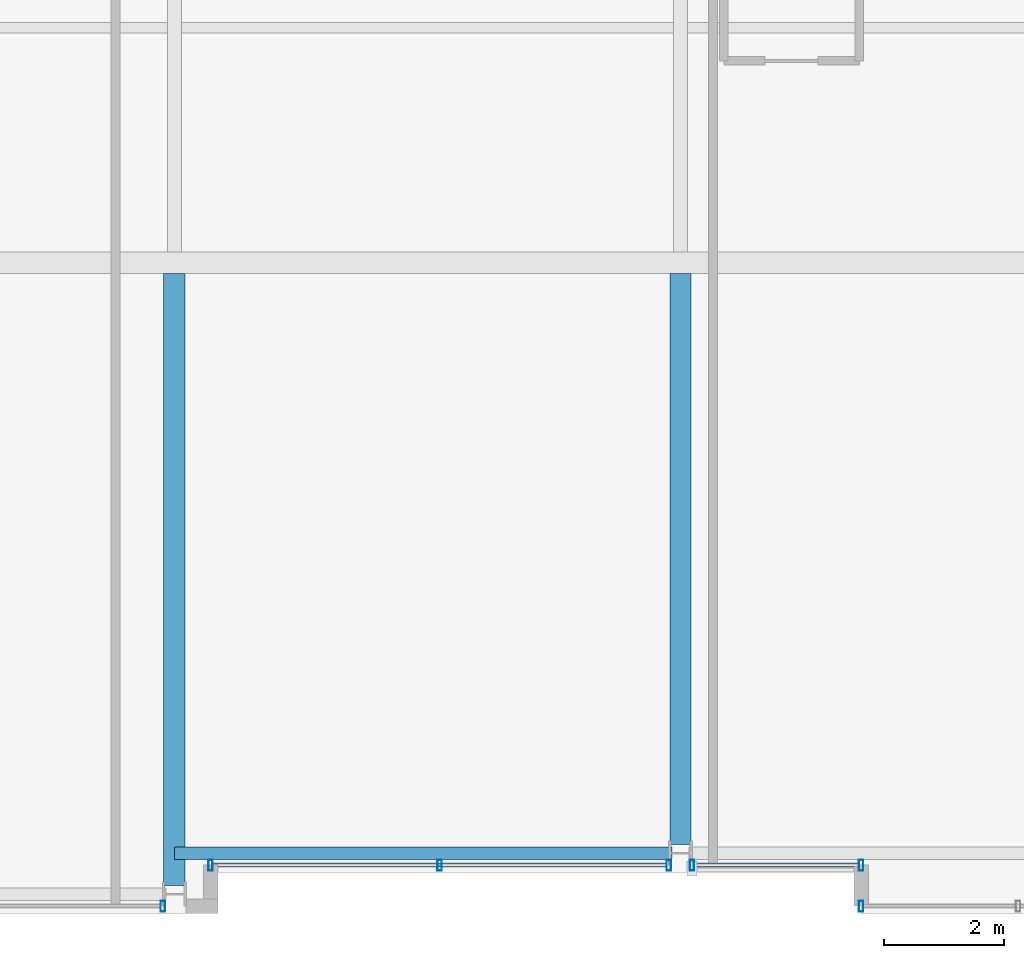
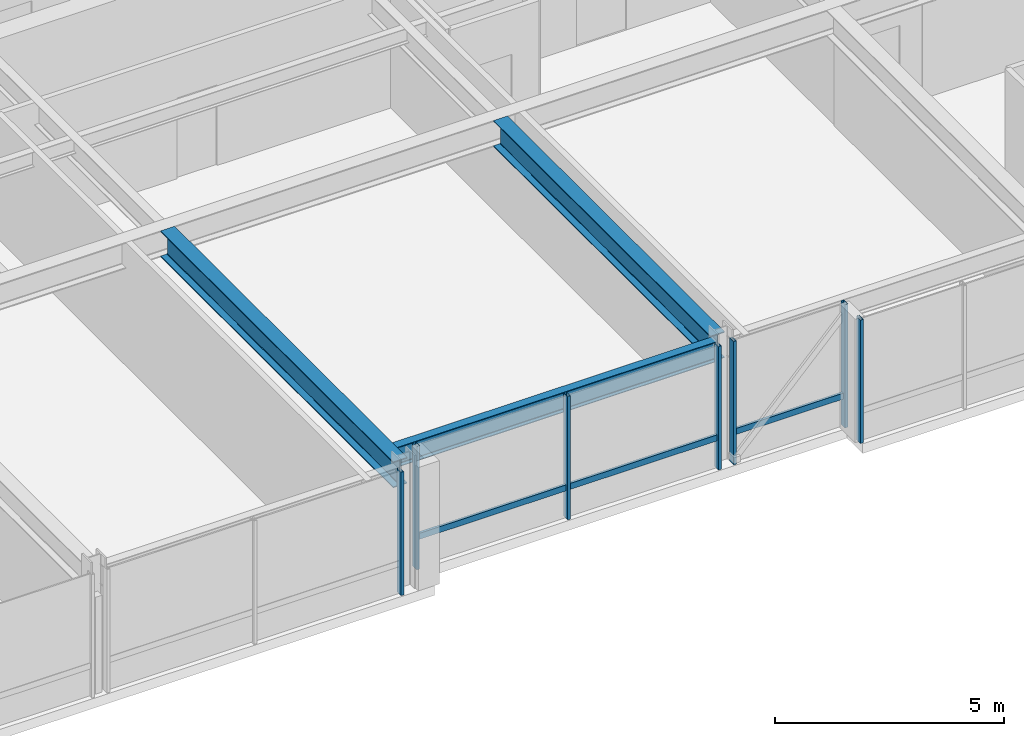
# One storey, part 5 of 32: 9 members, 3 beams, 4 elements without a shape of their own.
"""IFC4 building model written with IfcOpenShell, lengths in metres."""

import ifcopenshell
import ifcopenshell.guid

model = None  # the IFC model being written
_history = None  # IfcOwnerHistory: only IFC2X3 demands one
_inside = {}  # id of a spatial element -> (the spatial element, [elements in it])
_under = {}  # id of a project, library or spatial element -> (it, [spatial elements below it])
_declared = {}  # id of a project -> (the project, [libraries it declares])
_typed = {}  # id of a type object -> (the type object, [elements of that type])
_made_of = {}  # id of a material, layer set ... -> (it, [elements and type objects made of it])


def new_model(schema):
    """Start an empty IFC model of exactly this schema.

    Asked for "IFC4X3", IfcOpenShell would pick the latest addendum, in which some entities
    have other attributes; the version numbers below select the first issue.
    IFC2X3 requires an IfcOwnerHistory on every rooted entity: one is made here for all.
    """
    global model, _history
    if schema == "IFC4X3":
        model = ifcopenshell.file(schema_version=(4, 3, 0, 0))
    else:
        model = ifcopenshell.file(schema=schema)
    _inside.clear()
    _under.clear()
    _declared.clear()
    _typed.clear()
    _made_of.clear()
    _history = None
    if model.schema == "IFC2X3":
        org = make("IfcOrganization", Name="unknown")
        user = make(
            "IfcPersonAndOrganization",
            ThePerson=make("IfcPerson", FamilyName="unknown"),
            TheOrganization=org,
        )
        app = make(
            "IfcApplication",
            ApplicationDeveloper=org,
            Version="unknown",
            ApplicationFullName="unknown",
            ApplicationIdentifier="unknown",
        )
        _history = make(
            "IfcOwnerHistory",
            OwningUser=user,
            OwningApplication=app,
            ChangeAction="ADDED",
            CreationDate=0,
        )
    return model


def make(cls, **values):
    """One entity of the class cls with the attributes given. An attribute that is None is left unset."""
    return model.create_entity(
        cls, **{name: value for name, value in values.items() if value is not None}
    )


def rooted(cls, **values):
    """An entity with a GlobalId (a new one), such as an element, a storey or a relation."""
    return make(cls, GlobalId=ifcopenshell.guid.new(), OwnerHistory=_history, **values)


def si_unit(unit_type, name, prefix=None):
    """IfcSIUnit, for example si_unit("LENGTHUNIT", "METRE", prefix="MILLI")."""
    return make("IfcSIUnit", UnitType=unit_type, Prefix=prefix, Name=name)


def assignment(units):
    """IfcUnitAssignment: the units of a project."""
    return None if units is None else make("IfcUnitAssignment", Units=units)


def point(xyz):
    """IfcCartesianPoint."""
    return None if xyz is None else make("IfcCartesianPoint", Coordinates=xyz)


def direction(xyz):
    """IfcDirection."""
    return None if xyz is None else make("IfcDirection", DirectionRatios=xyz)


def frame(location, z_axis=None, x_axis=None):
    """IfcAxis2Placement3D, a coordinate frame: its origin and axes. An axis left out is left unset."""
    return make(
        "IfcAxis2Placement3D",
        Location=point(location),
        Axis=direction(z_axis),
        RefDirection=direction(x_axis),
    )


def frame_2d(location, x_axis=None):
    """IfcAxis2Placement2D, a coordinate frame in the plane: its origin and x axis."""
    return make(
        "IfcAxis2Placement2D", Location=point(location), RefDirection=direction(x_axis)
    )


def origin():
    """The frame at (0, 0, 0) with its axes left unset."""
    return frame((0.0, 0.0, 0.0))


def origin_2d():
    """The frame at (0, 0) in the plane with its x axis left unset."""
    return frame_2d((0.0, 0.0))


def place(relative_to, where):
    """IfcLocalPlacement: puts the frame where relative to a parent placement (None: the world)."""
    return make(
        "IfcLocalPlacement", PlacementRelTo=relative_to, RelativePlacement=where
    )


def context(
    kind, dimensions, precision=None, world=None, true_north=None, identifier=None
):
    """IfcGeometricRepresentationContext, for example the 3D "Model" context."""
    return make(
        "IfcGeometricRepresentationContext",
        ContextIdentifier=identifier,
        ContextType=kind,
        CoordinateSpaceDimension=dimensions,
        Precision=precision,
        WorldCoordinateSystem=world,
        TrueNorth=true_north,
    )


def subcontext(parent, identifier, kind, view, scale=None):
    """IfcGeometricRepresentationSubContext, for example "Body" below "Model"."""
    return make(
        "IfcGeometricRepresentationSubContext",
        ContextIdentifier=identifier,
        ContextType=kind,
        ParentContext=parent,
        TargetScale=scale,
        TargetView=view,
    )


def project(units=None, contexts=None):
    """IfcProject with its units and contexts."""
    return rooted(
        "IfcProject",
        Name="project",
        RepresentationContexts=contexts,
        UnitsInContext=assignment(units),
    )


def spatial(cls, under=None, at=None, **own):
    """A site, building, storey or space (cls), placed at a placement, below another one or the project."""
    s = rooted(cls, ObjectPlacement=at, **own)
    if under is not None:
        _under.setdefault(under.id(), (under, []))[1].append(s)
    return s


def profile(cls, at=None, kind="AREA", **sizes):
    """A parametric profile (cls). Its sizes go by their IFC names, for example OverallWidth=200.0."""
    return make(cls, ProfileType=kind, Position=at, **sizes)


def hollow_rectangle(**sizes):
    """IfcRectangleHollowProfileDef."""
    return profile("IfcRectangleHollowProfileDef", **sizes)


def i_section(**sizes):
    """IfcIShapeProfileDef."""
    return profile("IfcIShapeProfileDef", **sizes)


def extrude(swept, where, along, depth):
    """IfcExtrudedAreaSolid: the profile swept, set in the frame where, extruded along a direction by depth."""
    return make(
        "IfcExtrudedAreaSolid",
        SweptArea=swept,
        Position=where,
        ExtrudedDirection=direction(along),
        Depth=depth,
    )


def shape(context_of_items, identifier, shape_type, items):
    """IfcShapeRepresentation: the items that make up one representation, for example the "Body"."""
    return make(
        "IfcShapeRepresentation",
        ContextOfItems=context_of_items,
        RepresentationIdentifier=identifier,
        RepresentationType=shape_type,
        Items=items,
    )


def material(Name=None, Category=None):
    """IfcMaterial."""
    return make("IfcMaterial", Name=Name, Category=Category)


def layer(
    of_material, thickness, ventilated=None, Name=None, Category=None, Priority=None
):
    """IfcMaterialLayer: one layer of a wall or slab, of a material (None: an air gap)."""
    return make(
        "IfcMaterialLayer",
        Material=of_material,
        LayerThickness=thickness,
        IsVentilated=ventilated,
        Name=Name,
        Category=Category,
        Priority=Priority,
    )


def layer_set(layers, Name=None):
    """IfcMaterialLayerSet."""
    return make("IfcMaterialLayerSet", MaterialLayers=layers, LayerSetName=Name)


def material_profile(
    of_material, cross_section, Name=None, Category=None, Priority=None
):
    """IfcMaterialProfile: a cross section and its material."""
    return make(
        "IfcMaterialProfile",
        Name=Name,
        Material=of_material,
        Profile=cross_section,
        Priority=Priority,
        Category=Category,
    )


def profile_set(profiles, Name=None, composite=None):
    """IfcMaterialProfileSet."""
    return make(
        "IfcMaterialProfileSet",
        Name=Name,
        MaterialProfiles=profiles,
        CompositeProfile=composite,
    )


def made_of(thing, what):
    """Note that an element or type object is made of a material, layer set ...; save() writes the relation."""
    if what is not None:
        _made_of.setdefault(what.id(), (what, []))[1].append(thing)
    return thing


def type_object(cls, material=None, **own):
    """A type object (cls), such as IfcWallType, which elements share."""
    return made_of(rooted(cls, **own), material)


def element(
    cls,
    number,
    at=None,
    inside=None,
    cuts=None,
    type_object=None,
    material=None,
    context=None,
    identifier="Body",
    shape_type=None,
    held_by="IfcProductDefinitionShape",
    body=None,
    shapes=None,
    **own,
):
    """One element of the class cls, such as IfcWall. Its Tag is "e" and its number.

    at: its placement. inside: the storey or other place that contains it. cuts: it is an
    opening in that element (IfcRelVoidsElement). A single representation is given by context,
    identifier, shape_type and body (its items); several are given by shapes. held_by: the class
    of the entity that holds the representations. save() writes the other relations.
    """
    e = rooted(cls, Tag="e%d" % number, ObjectPlacement=at, **own)
    if body is not None:
        shapes = [shape(context, identifier, shape_type, body)]
    if shapes is not None:
        e.Representation = make(held_by, Representations=shapes)
    if inside is not None:
        _inside.setdefault(inside.id(), (inside, []))[1].append(e)
    if cuts is not None:
        rooted(
            "IfcRelVoidsElement", RelatingBuildingElement=cuts, RelatedOpeningElement=e
        )
    if type_object is not None:
        _typed.setdefault(type_object.id(), (type_object, []))[1].append(e)
    return made_of(e, material)


def aggregate(whole, parts):
    """IfcRelAggregates: a whole, such as a stair, and the parts it consists of."""
    return rooted("IfcRelAggregates", RelatingObject=whole, RelatedObjects=parts)


def save(model, path):
    """Write the relations noted so far, then the file.

    IfcRelAggregates (storeys below a building ...), IfcRelContainedInSpatialStructure (elements
    in a storey), IfcRelDefinesByType, IfcRelAssociatesMaterial and IfcRelDeclares: one each for
    every whole, place, type object, material and project.
    """
    for whole, parts in _under.values():
        aggregate(whole, parts)
    for where, things in _inside.values():
        rooted(
            "IfcRelContainedInSpatialStructure",
            RelatedElements=things,
            RelatingStructure=where,
        )
    for kind, things in _typed.values():
        rooted("IfcRelDefinesByType", RelatedObjects=things, RelatingType=kind)
    for what, things in _made_of.values():
        rooted("IfcRelAssociatesMaterial", RelatedObjects=things, RelatingMaterial=what)
    for by, libraries in _declared.values():
        rooted("IfcRelDeclares", RelatingContext=by, RelatedDefinitions=libraries)
    model.write(path)


model = new_model("IFC4")

# Units and contexts
model_context = context("Model", 3, precision=1e-05, world=origin(), true_north=direction((0.0, 1.0)))
body_context = subcontext(model_context, "Body", "Model", "MODEL_VIEW")
ifc_project = project(units=[si_unit("LENGTHUNIT", "METRE"), si_unit("AREAUNIT", "SQUARE_METRE"), si_unit("VOLUMEUNIT", "CUBIC_METRE"), si_unit("PLANEANGLEUNIT", "RADIAN"), si_unit("MASSUNIT", "GRAM", prefix="KILO")], contexts=[model_context])

# Site, building, storey
site_placement = place(None, origin())
site = spatial("IfcSite", under=ifc_project, at=site_placement, CompositionType="ELEMENT")
building_placement = place(site_placement, origin())
building = spatial("IfcBuilding", under=site, at=building_placement, Name="Drelvath Grand Hotel", CompositionType="ELEMENT")
storey_placement = place(building_placement, frame((0.0, 0.0, 182.35009765625)))
storey = spatial("IfcBuildingStorey", under=building, at=storey_placement, Name="L47", CompositionType="ELEMENT", Elevation=182.35009765625)

# Curtain wall, member
ifc_material_1 = material(Name="Brushed Pale-Silver Anodised Aluminium Frame", Category="aluminium")
ifc_layer = layer(ifc_material_1, 0.199951171875)
ifc_layer_set = layer_set([ifc_layer], Name="Brushed Pale-Silver Anodised Aluminium Frame")
curtain_wall_type = type_object("IfcCurtainWallType", Name="Stick Curtain Wall CW-04 Brushed Silver Upper-Mid", PredefinedType="NOTDEFINED", material=ifc_layer_set)
curtain_wall_1_placement = place(storey_placement, origin())
curtain_wall_1 = element("IfcCurtainWall", 1, at=curtain_wall_1_placement, inside=storey, type_object=curtain_wall_type, Name="L47 CW-04 Curtain Wall CW04-L47-SM1", PredefinedType="NOTDEFINED")
ifc_material_profile_1 = material_profile(ifc_material_1, hollow_rectangle(XDim=0.06494140625, YDim=0.159912109375, WallThickness=0.00390625, at=origin_2d()), Name="HSS160X65X4")
ifc_profile_set_1 = profile_set([ifc_material_profile_1], Name="Brushed Pale-Silver Anodised Aluminium Frame")
member_type_1 = type_object("IfcMemberType", Name="Curtain Wall Horizontal Transom CW-04 HSS160X65X4", PredefinedType="USERDEFINED", material=ifc_profile_set_1)
member_1_placement = place(storey_placement, frame((-0.231689453125, 0.800048828125, 0.822509765625), z_axis=(-1.0, 0.0, 0.0), x_axis=(0.0, -1.0, 0.0)))
member_1 = element("IfcMember", 2, at=member_1_placement, type_object=member_type_1, Name="CW04-L47-SM1 Sill Transom", ObjectType="TRANSOM", PredefinedType="USERDEFINED", context=body_context, shape_type="SweptSolid", body=[
    extrude(hollow_rectangle(XDim=0.06494140625, YDim=0.159912109375, WallThickness=0.00390625, at=origin_2d()), origin(), (0.0, 0.0, 1.0), 7.5283203125),
])

curtain_wall_2_placement = place(storey_placement, origin())
curtain_wall_2 = element("IfcCurtainWall", 3, at=curtain_wall_2_placement, inside=storey, type_object=curtain_wall_type, Name="L47 CW-04 Curtain Wall CW04-L47-SM2", PredefinedType="NOTDEFINED")
member_2_placement = place(storey_placement, frame((2.9599609375, 0.800048828125, 0.822509765625), z_axis=(-1.0, 0.0, 0.0), x_axis=(0.0, -1.0, 0.0)))
member_2 = element("IfcMember", 4, at=member_2_placement, type_object=member_type_1, Name="CW04-L47-SM2 Sill Transom", ObjectType="TRANSOM", PredefinedType="USERDEFINED", context=body_context, shape_type="SweptSolid", body=[
    extrude(hollow_rectangle(XDim=0.06494140625, YDim=0.159912109375, WallThickness=0.00390625, at=origin_2d()), origin(), (0.0, 0.0, 1.0), 2.728271484375),
])

curtain_wall_3_placement = place(storey_placement, origin())
curtain_wall_3 = element("IfcCurtainWall", 5, at=curtain_wall_3_placement, inside=storey, type_object=curtain_wall_type, Name="L47 CW-04 Curtain Wall CW04-L47-SE1", PredefinedType="NOTDEFINED")
ifc_material_profile_2 = material_profile(ifc_material_1, hollow_rectangle(XDim=0.074951171875, YDim=0.179931640625, WallThickness=0.0048828125, at=origin_2d()), Name="HSS180X75X5")
ifc_profile_set_2 = profile_set([ifc_material_profile_2], Name="Brushed Pale-Silver Anodised Aluminium Frame")
member_type_2 = type_object("IfcMemberType", Name="Curtain Wall Vertical Mullion CW-04 HSS180X75X5", PredefinedType="MULLION", material=ifc_profile_set_2)
member_3_placement = place(storey_placement, frame((3.0, 0.1201171875, 0.0), z_axis=(0.0, 0.0, 1.0), x_axis=(1.0, 0.0, 0.0)))
member_3 = element("IfcMember", 6, at=member_3_placement, type_object=member_type_2, Name="CW04-L47-SE1 Mullion 3", PredefinedType="MULLION", context=body_context, shape_type="SweptSolid", body=[
    extrude(hollow_rectangle(XDim=0.074951171875, YDim=0.179931640625, WallThickness=0.0048828125, at=origin_2d()), origin(), (0.0, 0.0, 1.0), 3.289794921875),
])
aggregate(curtain_wall_3, [member_3])

# Member
member_4_placement = place(storey_placement, frame((-0.191650390625, 0.800048828125, 0.0), z_axis=(0.0, 0.0, 1.0), x_axis=(1.0, 0.0, 0.0)))
member_4 = element("IfcMember", 7, at=member_4_placement, type_object=member_type_2, Name="CW04-L47-SM1 Mullion 1", PredefinedType="MULLION", context=body_context, shape_type="SweptSolid", body=[
    extrude(hollow_rectangle(XDim=0.074951171875, YDim=0.179931640625, WallThickness=0.0048828125, at=origin_2d()), origin(), (0.0, 0.0, 1.0), 3.289794921875),
])

member_5_placement = place(storey_placement, frame((-3.995849609375, 0.800048828125, 0.0), z_axis=(0.0, 0.0, 1.0), x_axis=(1.0, 0.0, 0.0)))
member_5 = element("IfcMember", 8, at=member_5_placement, type_object=member_type_2, Name="CW04-L47-SM1 Mullion 2", PredefinedType="MULLION", context=body_context, shape_type="SweptSolid", body=[
    extrude(hollow_rectangle(XDim=0.074951171875, YDim=0.179931640625, WallThickness=0.0048828125, at=origin_2d()), origin(), (0.0, 0.0, 1.0), 3.289794921875),
])

member_6_placement = place(storey_placement, frame((-7.800048828125, 0.800048828125, 0.0), z_axis=(0.0, 0.0, 1.0), x_axis=(1.0, 0.0, 0.0)))
member_6 = element("IfcMember", 9, at=member_6_placement, type_object=member_type_2, Name="CW04-L47-SM1 Mullion 3", PredefinedType="MULLION", context=body_context, shape_type="SweptSolid", body=[
    extrude(hollow_rectangle(XDim=0.074951171875, YDim=0.179931640625, WallThickness=0.0048828125, at=origin_2d()), origin(), (0.0, 0.0, 1.0), 3.289794921875),
])

aggregate(curtain_wall_1, [member_4, member_5, member_6, member_1])

member_7_placement = place(storey_placement, frame((3.0, 0.800048828125, 0.0), z_axis=(0.0, 0.0, 1.0), x_axis=(1.0, 0.0, 0.0)))
member_7 = element("IfcMember", 10, at=member_7_placement, type_object=member_type_2, Name="CW04-L47-SM2 Mullion 1", PredefinedType="MULLION", context=body_context, shape_type="SweptSolid", body=[
    extrude(hollow_rectangle(XDim=0.074951171875, YDim=0.179931640625, WallThickness=0.0048828125, at=origin_2d()), origin(), (0.0, 0.0, 1.0), 3.289794921875),
])

member_8_placement = place(storey_placement, frame((0.191650390625, 0.800048828125, 0.0), z_axis=(0.0, 0.0, 1.0), x_axis=(1.0, 0.0, 0.0)))
member_8 = element("IfcMember", 11, at=member_8_placement, type_object=member_type_2, Name="CW04-L47-SM2 Mullion 2", PredefinedType="MULLION", context=body_context, shape_type="SweptSolid", body=[
    extrude(hollow_rectangle(XDim=0.074951171875, YDim=0.179931640625, WallThickness=0.0048828125, at=origin_2d()), origin(), (0.0, 0.0, 1.0), 3.289794921875),
])

aggregate(curtain_wall_2, [member_7, member_8, member_2])

# Curtain wall, member
curtain_wall_4_placement = place(storey_placement, origin())
curtain_wall_4 = element("IfcCurtainWall", 12, at=curtain_wall_4_placement, inside=storey, type_object=curtain_wall_type, Name="L47 CW-04 Curtain Wall CW04-L47-SW2", PredefinedType="NOTDEFINED")
member_9_placement = place(storey_placement, frame((-8.591796875, 0.1201171875, 0.0), z_axis=(0.0, 0.0, 1.0), x_axis=(1.0, 0.0, 0.0)))
member_9 = element("IfcMember", 13, at=member_9_placement, type_object=member_type_2, Name="CW04-L47-SW2 Mullion 1", PredefinedType="MULLION", context=body_context, shape_type="SweptSolid", body=[
    extrude(hollow_rectangle(XDim=0.074951171875, YDim=0.179931640625, WallThickness=0.0048828125, at=origin_2d()), origin(), (0.0, 0.0, 1.0), 3.289794921875),
])
aggregate(curtain_wall_4, [member_9])

# Beams
ifc_material_2 = material(Name="Steel ASTM A992 Gr 50", Category="steel")
ifc_material_profile_3 = material_profile(ifc_material_2, i_section(OverallWidth=0.210205078125, OverallDepth=0.53662109375, WebThickness=0.010986328125, FlangeThickness=0.017333984375, FilletRadius=0.01806640625, at=origin_2d()), Name="W21X68")
ifc_profile_set_3 = profile_set([ifc_material_profile_3], Name="Steel ASTM A992 Gr 50")
beam_type_1 = type_object("IfcBeamType", Name="Perimeter Spandrel Beam W21X68", PredefinedType="SPANDREL", material=ifc_profile_set_3)
beam_1_placement = place(storey_placement, frame((-8.39990234375, 1.0, 3.021484375), z_axis=(1.0, 0.0, 0.0), x_axis=(0.0, 1.0, 0.0)))
element("IfcBeam", 14, at=beam_1_placement, inside=storey, type_object=beam_type_1, Name="L47 Spandrel South Mid W", PredefinedType="SPANDREL", context=body_context, shape_type="SweptSolid", body=[
    extrude(i_section(OverallWidth=0.210205078125, OverallDepth=0.53662109375, WebThickness=0.010986328125, FlangeThickness=0.017333984375, FilletRadius=0.01806640625, at=origin_2d()), origin(), (0.0, 0.0, 1.0), 8.260009765625),
])
ifc_material_profile_4 = material_profile(ifc_material_2, i_section(OverallWidth=0.354736328125, OverallDepth=0.695556640625, WebThickness=0.015380859375, FlangeThickness=0.025146484375, FilletRadius=0.02392578125, at=origin_2d()), Name="W27X146")
ifc_profile_set_4 = profile_set([ifc_material_profile_4], Name="Steel ASTM A992 Gr 50")
beam_type_2 = type_object("IfcBeamType", Name="Primary Floor Girder W27X146", PredefinedType="BEAM", material=ifc_profile_set_4)
beam_2_placement = place(storey_placement, frame((-8.39990234375, 0.4599609375, 2.942138671875), z_axis=(0.0, 1.0, 0.0), x_axis=(-1.0, 0.0, 0.0)))
element("IfcBeam", 15, at=beam_2_placement, inside=storey, type_object=beam_type_2, Name="L47 South Wing Girder 4", PredefinedType="BEAM", context=body_context, shape_type="SweptSolid", body=[
    extrude(i_section(OverallWidth=0.354736328125, OverallDepth=0.695556640625, WebThickness=0.015380859375, FlangeThickness=0.025146484375, FilletRadius=0.02392578125, at=origin_2d()), origin(), (0.0, 0.0, 1.0), 10.16259765625),
])
beam_3_placement = place(storey_placement, frame((0.0, 1.139892578125, 2.942138671875), z_axis=(0.0, 1.0, 0.0), x_axis=(-1.0, 0.0, 0.0)))
element("IfcBeam", 16, at=beam_3_placement, inside=storey, type_object=beam_type_2, Name="L47 South Wing Girder 5", PredefinedType="BEAM", context=body_context, shape_type="SweptSolid", body=[
    extrude(i_section(OverallWidth=0.354736328125, OverallDepth=0.695556640625, WebThickness=0.015380859375, FlangeThickness=0.025146484375, FilletRadius=0.02392578125, at=origin_2d()), origin(), (0.0, 0.0, 1.0), 9.482666015625),
])

save(model, "model.ifc")
